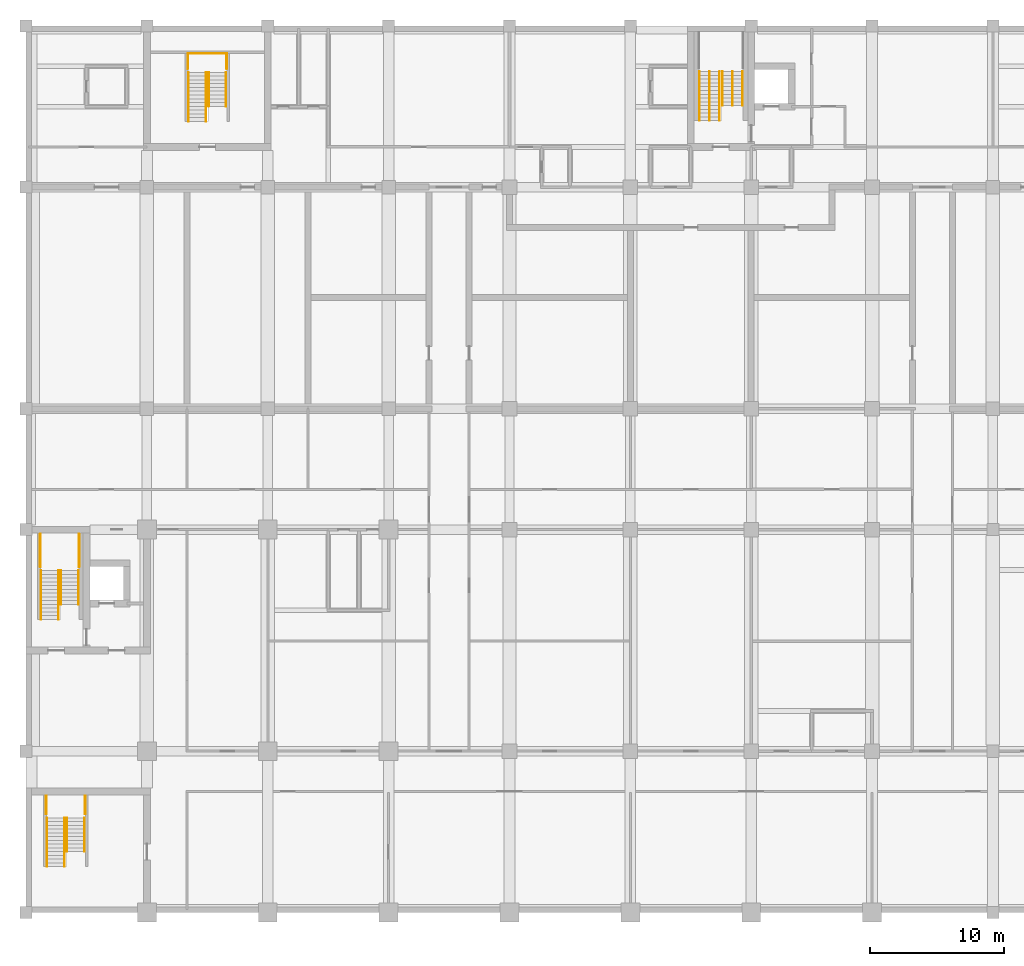
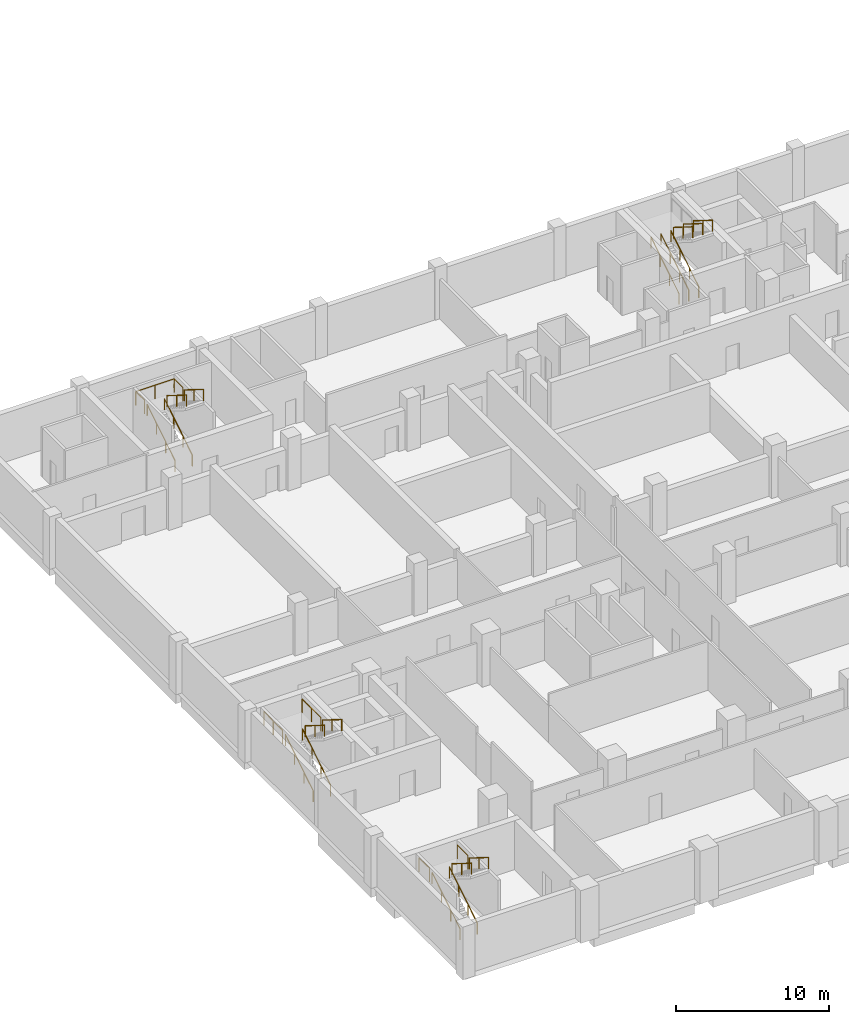
# One storey, part 13 of 16: 24 railings.
"""IFC4 building model written with IfcOpenShell, lengths in metres."""

from ifc_helpers import new_model, si_unit, direction, frame, origin, origin_2d, place, context, subcontext, project, spatial, circle, extrude, material, type_object, element, save


model = new_model("IFC4")

# Units and contexts
model_context = context("Model", 3, precision=1e-05, world=origin(), true_north=direction((0.0, 1.0)))
body_context = subcontext(model_context, "Body", "Model", "MODEL_VIEW")
ifc_project = project(units=[si_unit("LENGTHUNIT", "METRE"), si_unit("AREAUNIT", "SQUARE_METRE"), si_unit("VOLUMEUNIT", "CUBIC_METRE"), si_unit("PLANEANGLEUNIT", "RADIAN"), si_unit("MASSUNIT", "GRAM", prefix="KILO")], contexts=[model_context])

# Site, building, storey
site_placement = place(None, origin())
site = spatial("IfcSite", under=ifc_project, at=site_placement, CompositionType="ELEMENT")
building_placement = place(site_placement, origin())
building = spatial("IfcBuilding", under=site, at=building_placement, Name="Aurelan Courthouse", CompositionType="ELEMENT")
storey_placement = place(building_placement, frame((0.0, 0.0, -4.199951171875)))
storey = spatial("IfcBuildingStorey", under=building, at=storey_placement, Name="B1", CompositionType="ELEMENT", Elevation=-4.199951171875)

# Railings
ifc_material = material(Name="Steel S355", Category="steel")
railing_type_1 = type_object("IfcRailingType", Name="Stair guard 1100", PredefinedType="GUARDRAIL", material=ifc_material)
railing_1_placement = place(storey_placement, frame((1.510009765625, 7.315185546875, 2.449951171875)))
element("IfcRailing", 1, at=railing_1_placement, inside=storey, type_object=railing_type_1, Name="Guard BS-1-B1-GL1", PredefinedType="GUARDRAIL", context=body_context, shape_type="SweptSolid", body=[
    extrude(circle(Radius=0.02392578125, at=origin_2d()), frame((0.0, 0.0, 1.076171875), z_axis=(0.0, 1.0, 0.0), x_axis=(-1.0, 0.0, 0.0)), (0.0, 0.0, 1.0), 1.354736328125),
    extrude(circle(Radius=0.02099609375, at=origin_2d()), origin(), (0.0, 0.0, 1.0), 1.052001953125),
    extrude(circle(Radius=0.02099609375, at=origin_2d()), frame((0.0, 1.354736328125, 0.0)), (0.0, 0.0, 1.0), 1.052001953125),
])
railing_2_placement = place(storey_placement, frame((4.409912109375, 8.669921875, 2.449951171875)))
element("IfcRailing", 2, at=railing_2_placement, inside=storey, type_object=railing_type_1, Name="Guard BS-1-B1-GL2", PredefinedType="GUARDRAIL", context=body_context, shape_type="SweptSolid", body=[
    extrude(circle(Radius=0.02392578125, at=origin_2d()), frame((0.0, 0.0, 1.076171875), z_axis=(0.0, -1.0, 0.0), x_axis=(1.0, 0.0, 0.0)), (0.0, 0.0, 1.0), 1.354736328125),
    extrude(circle(Radius=0.02099609375, at=origin_2d()), origin(), (0.0, 0.0, 1.0), 1.052001953125),
    extrude(circle(Radius=0.02099609375, at=origin_2d()), frame((0.0, -1.354736328125, 0.0)), (0.0, 0.0, 1.0), 1.052001953125),
])
railing_3_placement = place(storey_placement, frame((12.050048828125, 62.8203125, 2.449951171875)))
element("IfcRailing", 3, at=railing_3_placement, inside=storey, type_object=railing_type_1, Name="Guard BS-3-B1-GL1", PredefinedType="GUARDRAIL", context=body_context, shape_type="SweptSolid", body=[
    extrude(circle(Radius=0.02392578125, at=origin_2d()), frame((0.0, 0.0, 1.076171875), z_axis=(0.0, 1.0, 0.0), x_axis=(-1.0, 0.0, 0.0)), (0.0, 0.0, 1.0), 1.124755859375),
    extrude(circle(Radius=0.02099609375, at=origin_2d()), origin(), (0.0, 0.0, 1.0), 1.052001953125),
    extrude(circle(Radius=0.02099609375, at=origin_2d()), frame((0.0, 1.124755859375, 0.0)), (0.0, 0.0, 1.0), 1.052001953125),
])
railing_4_placement = place(storey_placement, frame((12.050048828125, 63.945068359375, 2.449951171875)))
element("IfcRailing", 4, at=railing_4_placement, inside=storey, type_object=railing_type_1, Name="Guard BS-3-B1-GL2", PredefinedType="GUARDRAIL", context=body_context, shape_type="SweptSolid", body=[
    extrude(circle(Radius=0.02392578125, at=origin_2d()), frame((0.0, 0.0, 1.076171875), z_axis=(1.0, 0.0, 0.0), x_axis=(0.0, 1.0, 0.0)), (0.0, 0.0, 1.0), 2.89990234375),
    extrude(circle(Radius=0.02392578125, at=origin_2d()), frame((2.89990234375, 0.0, 1.076171875), z_axis=(0.0, -1.0, 0.0), x_axis=(1.0, 0.0, 0.0)), (0.0, 0.0, 1.0), 1.124755859375),
    extrude(circle(Radius=0.02099609375, at=origin_2d()), origin(), (0.0, 0.0, 1.0), 1.052001953125),
    extrude(circle(Radius=0.02099609375, at=origin_2d()), frame((1.449951171875, 0.0, 0.0)), (0.0, 0.0, 1.0), 1.052001953125),
    extrude(circle(Radius=0.02099609375, at=origin_2d()), frame((2.89990234375, 0.0, 0.0)), (0.0, 0.0, 1.0), 1.052001953125),
    extrude(circle(Radius=0.02099609375, at=origin_2d()), frame((2.89990234375, -1.124755859375, 0.0)), (0.0, 0.0, 1.0), 1.052001953125),
])
railing_5_placement = place(storey_placement, frame((1.06005859375, 25.725341796875, 2.449951171875)))
element("IfcRailing", 5, at=railing_5_placement, inside=storey, type_object=railing_type_1, Name="Guard ST-5B-B1-GL1", PredefinedType="GUARDRAIL", context=body_context, shape_type="SweptSolid", body=[
    extrude(circle(Radius=0.02392578125, at=origin_2d()), frame((0.0, 0.0, 1.076171875), z_axis=(0.0, 1.0, 0.0), x_axis=(-1.0, 0.0, 0.0)), (0.0, 0.0, 1.0), 2.444580078125),
    extrude(circle(Radius=0.02099609375, at=origin_2d()), origin(), (0.0, 0.0, 1.0), 1.052001953125),
    extrude(circle(Radius=0.02099609375, at=origin_2d()), frame((0.0, 1.22216796875, 0.0)), (0.0, 0.0, 1.0), 1.052001953125),
    extrude(circle(Radius=0.02099609375, at=origin_2d()), frame((0.0, 2.444580078125, 0.0)), (0.0, 0.0, 1.0), 1.052001953125),
])
railing_6_placement = place(storey_placement, frame((3.9599609375, 28.169921875, 2.449951171875)))
element("IfcRailing", 6, at=railing_6_placement, inside=storey, type_object=railing_type_1, Name="Guard ST-5B-B1-GL2", PredefinedType="GUARDRAIL", context=body_context, shape_type="SweptSolid", body=[
    extrude(circle(Radius=0.02392578125, at=origin_2d()), frame((0.0, 0.0, 1.076171875), z_axis=(0.0, -1.0, 0.0), x_axis=(1.0, 0.0, 0.0)), (0.0, 0.0, 1.0), 2.444580078125),
    extrude(circle(Radius=0.02099609375, at=origin_2d()), origin(), (0.0, 0.0, 1.0), 1.052001953125),
    extrude(circle(Radius=0.02099609375, at=origin_2d()), frame((0.0, -1.22216796875, 0.0)), (0.0, 0.0, 1.0), 1.052001953125),
    extrude(circle(Radius=0.02099609375, at=origin_2d()), frame((0.0, -2.444580078125, 0.0)), (0.0, 0.0, 1.0), 1.052001953125),
])
railing_type_2 = type_object("IfcRailingType", Name="Stair handrail 900", PredefinedType="HANDRAIL", material=ifc_material)
for number, where, name in (
    (7, (1.56005859375, 3.39990234375, 0.175048828125), "Handrail BS-1-B1-H1"),
    (8, (2.860107421875, 3.39990234375, 0.175048828125), "Handrail BS-1-B1-H2"),
):
    element("IfcRailing", number, at=place(storey_placement, frame(where)), inside=storey, type_object=railing_type_2, Name=name, PredefinedType="HANDRAIL", context=body_context, shape_type="SweptSolid", body=[
        extrude(circle(Radius=0.02392578125, at=origin_2d()), frame((0.0, 0.0, 0.8759765625), z_axis=(0.0, 0.848017475052, 0.529968265093), x_axis=(-1.0, 0.0, 0.0)), (0.0, 0.0, 1.0), 4.29248046875),
        extrude(circle(Radius=0.02099609375, at=origin_2d()), origin(), (0.0, 0.0, 1.0), 0.851806640625),
        extrude(circle(Radius=0.02099609375, at=origin_2d()), frame((0.0, 1.21337890625, 0.75830078125)), (0.0, 0.0, 1.0), 0.851806640625),
        extrude(circle(Radius=0.02099609375, at=origin_2d()), frame((0.0, 2.4267578125, 1.5166015625)), (0.0, 0.0, 1.0), 0.851806640625),
        extrude(circle(Radius=0.02099609375, at=origin_2d()), frame((0.0, 3.64013671875, 2.27490234375)), (0.0, 0.0, 1.0), 0.851806640625),
    ])
for number, where, name in (
    (9, (3.06005859375, 7.0400390625, 2.625), "Handrail BS-1-B1-H3"),
    (10, (4.360107421875, 7.0400390625, 2.625), "Handrail BS-1-B1-H4"),
):
    element("IfcRailing", number, at=place(storey_placement, frame(where)), inside=storey, type_object=railing_type_2, Name=name, PredefinedType="HANDRAIL", context=body_context, shape_type="SweptSolid", body=[
        extrude(circle(Radius=0.02392578125, at=origin_2d()), frame((0.0, 0.0, 0.8759765625), z_axis=(0.0, -0.848007534815, 0.529984170421), x_axis=(1.0, 0.0, 0.0)), (0.0, 0.0, 1.0), 2.9716796875),
        extrude(circle(Radius=0.02099609375, at=origin_2d()), origin(), (0.0, 0.0, 1.0), 0.851806640625),
        extrude(circle(Radius=0.02099609375, at=origin_2d()), frame((0.0, -1.260009765625, 0.78759765625)), (0.0, 0.0, 1.0), 0.851806640625),
        extrude(circle(Radius=0.02099609375, at=origin_2d()), frame((0.0, -2.52001953125, 1.574951171875)), (0.0, 0.0, 1.0), 0.851806640625),
    ])
for number, where, name in (
    (11, (12.10009765625, 58.905029296875, 0.175048828125), "Handrail BS-3-B1-H1"),
    (12, (13.39990234375, 58.905029296875, 0.175048828125), "Handrail BS-3-B1-H2"),
):
    element("IfcRailing", number, at=place(storey_placement, frame(where)), inside=storey, type_object=railing_type_2, Name=name, PredefinedType="HANDRAIL", context=body_context, shape_type="SweptSolid", body=[
        extrude(circle(Radius=0.02392578125, at=origin_2d()), frame((0.0, 0.0, 0.8759765625), z_axis=(0.0, 0.848001499411, 0.52999382732), x_axis=(-1.0, 0.0, 0.0)), (0.0, 0.0, 1.0), 4.292236328125),
        extrude(circle(Radius=0.02099609375, at=origin_2d()), origin(), (0.0, 0.0, 1.0), 0.851806640625),
        extrude(circle(Radius=0.02099609375, at=origin_2d()), frame((0.0, 1.21337890625, 0.75830078125)), (0.0, 0.0, 1.0), 0.851806640625),
        extrude(circle(Radius=0.02099609375, at=origin_2d()), frame((0.0, 2.426513671875, 1.5166015625)), (0.0, 0.0, 1.0), 0.851806640625),
        extrude(circle(Radius=0.02099609375, at=origin_2d()), frame((0.0, 3.639892578125, 2.27490234375)), (0.0, 0.0, 1.0), 0.851806640625),
    ])
for number, where, name in (
    (13, (13.60009765625, 62.544921875, 2.625), "Handrail BS-3-B1-H3"),
    (14, (14.89990234375, 62.544921875, 2.625), "Handrail BS-3-B1-H4"),
):
    element("IfcRailing", number, at=place(storey_placement, frame(where)), inside=storey, type_object=railing_type_2, Name=name, PredefinedType="HANDRAIL", context=body_context, shape_type="SweptSolid", body=[
        extrude(circle(Radius=0.02392578125, at=origin_2d()), frame((0.0, 0.0, 0.8759765625), z_axis=(0.0, -0.848007534815, 0.529984170421), x_axis=(1.0, 0.0, 0.0)), (0.0, 0.0, 1.0), 2.9716796875),
        extrude(circle(Radius=0.02099609375, at=origin_2d()), origin(), (0.0, 0.0, 1.0), 0.851806640625),
        extrude(circle(Radius=0.02099609375, at=origin_2d()), frame((0.0, -1.260009765625, 0.78759765625)), (0.0, 0.0, 1.0), 0.851806640625),
        extrude(circle(Radius=0.02099609375, at=origin_2d()), frame((0.0, -2.52001953125, 1.574951171875)), (0.0, 0.0, 1.0), 0.851806640625),
    ])
for number, where, name in (
    (15, (50.14990234375, 58.9599609375, 0.175048828125), "Handrail ST-2A-B1-H1"),
    (16, (51.64990234375, 58.9599609375, 0.175048828125), "Handrail ST-2A-B1-H2"),
    (17, (50.89990234375, 58.9599609375, 0.175048828125), "Handrail ST-2A-B1-H3"),
):
    element("IfcRailing", number, at=place(storey_placement, frame(where)), inside=storey, type_object=railing_type_2, Name=name, PredefinedType="HANDRAIL", context=body_context, shape_type="SweptSolid", body=[
        extrude(circle(Radius=0.02392578125, at=origin_2d()), frame((0.0, 0.0, 0.8759765625), z_axis=(0.0, 0.848017475052, 0.529968265093), x_axis=(-1.0, 0.0, 0.0)), (0.0, 0.0, 1.0), 4.29248046875),
        extrude(circle(Radius=0.02099609375, at=origin_2d()), origin(), (0.0, 0.0, 1.0), 0.851806640625),
        extrude(circle(Radius=0.02099609375, at=origin_2d()), frame((0.0, 1.21337890625, 0.75830078125)), (0.0, 0.0, 1.0), 0.851806640625),
        extrude(circle(Radius=0.02099609375, at=origin_2d()), frame((0.0, 2.4267578125, 1.5166015625)), (0.0, 0.0, 1.0), 0.851806640625),
        extrude(circle(Radius=0.02099609375, at=origin_2d()), frame((0.0, 3.64013671875, 2.27490234375)), (0.0, 0.0, 1.0), 0.851806640625),
    ])
for number, where, name in (
    (18, (51.85009765625, 62.60009765625, 2.625), "Handrail ST-2A-B1-H4"),
    (19, (53.35009765625, 62.60009765625, 2.625), "Handrail ST-2A-B1-H5"),
    (20, (52.60009765625, 62.60009765625, 2.625), "Handrail ST-2A-B1-H6"),
):
    element("IfcRailing", number, at=place(storey_placement, frame(where)), inside=storey, type_object=railing_type_2, Name=name, PredefinedType="HANDRAIL", context=body_context, shape_type="SweptSolid", body=[
        extrude(circle(Radius=0.02392578125, at=origin_2d()), frame((0.0, 0.0, 0.8759765625), z_axis=(0.0, -0.848007534815, 0.529984170421), x_axis=(1.0, 0.0, 0.0)), (0.0, 0.0, 1.0), 2.9716796875),
        extrude(circle(Radius=0.02099609375, at=origin_2d()), origin(), (0.0, 0.0, 1.0), 0.851806640625),
        extrude(circle(Radius=0.02099609375, at=origin_2d()), frame((0.0, -1.260009765625, 0.78759765625)), (0.0, 0.0, 1.0), 0.851806640625),
        extrude(circle(Radius=0.02099609375, at=origin_2d()), frame((0.0, -2.52001953125, 1.574951171875)), (0.0, 0.0, 1.0), 0.851806640625),
    ])
for number, where, name in (
    (21, (1.110107421875, 21.81005859375, 0.175048828125), "Handrail ST-5B-B1-H1"),
    (22, (2.409912109375, 21.81005859375, 0.175048828125), "Handrail ST-5B-B1-H2"),
):
    element("IfcRailing", number, at=place(storey_placement, frame(where)), inside=storey, type_object=railing_type_2, Name=name, PredefinedType="HANDRAIL", context=body_context, shape_type="SweptSolid", body=[
        extrude(circle(Radius=0.02392578125, at=origin_2d()), frame((0.0, 0.0, 0.8759765625), z_axis=(0.0, 0.848001499411, 0.52999382732), x_axis=(-1.0, 0.0, 0.0)), (0.0, 0.0, 1.0), 4.292236328125),
        extrude(circle(Radius=0.02099609375, at=origin_2d()), origin(), (0.0, 0.0, 1.0), 0.851806640625),
        extrude(circle(Radius=0.02099609375, at=origin_2d()), frame((0.0, 1.21337890625, 0.75830078125)), (0.0, 0.0, 1.0), 0.851806640625),
        extrude(circle(Radius=0.02099609375, at=origin_2d()), frame((0.0, 2.426513671875, 1.5166015625)), (0.0, 0.0, 1.0), 0.851806640625),
        extrude(circle(Radius=0.02099609375, at=origin_2d()), frame((0.0, 3.639892578125, 2.27490234375)), (0.0, 0.0, 1.0), 0.851806640625),
    ])
for number, where, name in (
    (23, (2.610107421875, 25.449951171875, 2.625), "Handrail ST-5B-B1-H3"),
    (24, (3.909912109375, 25.449951171875, 2.625), "Handrail ST-5B-B1-H4"),
):
    element("IfcRailing", number, at=place(storey_placement, frame(where)), inside=storey, type_object=railing_type_2, Name=name, PredefinedType="HANDRAIL", context=body_context, shape_type="SweptSolid", body=[
        extrude(circle(Radius=0.02392578125, at=origin_2d()), frame((0.0, 0.0, 0.8759765625), z_axis=(0.0, -0.848007534815, 0.529984170421), x_axis=(1.0, 0.0, 0.0)), (0.0, 0.0, 1.0), 2.9716796875),
        extrude(circle(Radius=0.02099609375, at=origin_2d()), origin(), (0.0, 0.0, 1.0), 0.851806640625),
        extrude(circle(Radius=0.02099609375, at=origin_2d()), frame((0.0, -1.260009765625, 0.78759765625)), (0.0, 0.0, 1.0), 0.851806640625),
        extrude(circle(Radius=0.02099609375, at=origin_2d()), frame((0.0, -2.52001953125, 1.574951171875)), (0.0, 0.0, 1.0), 0.851806640625),
    ])

save(model, "model.ifc")
